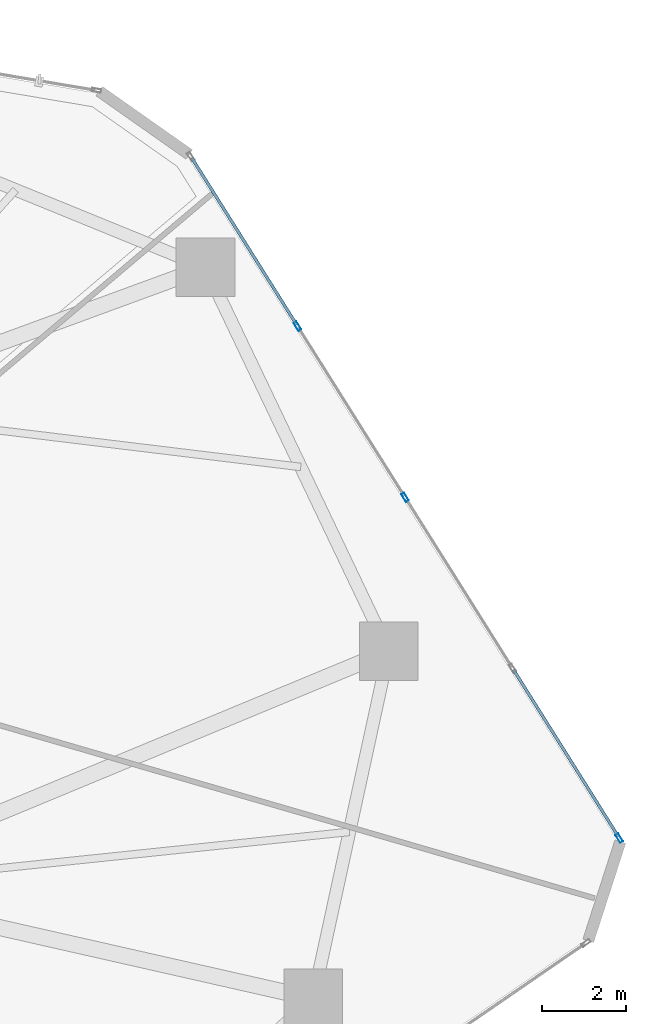
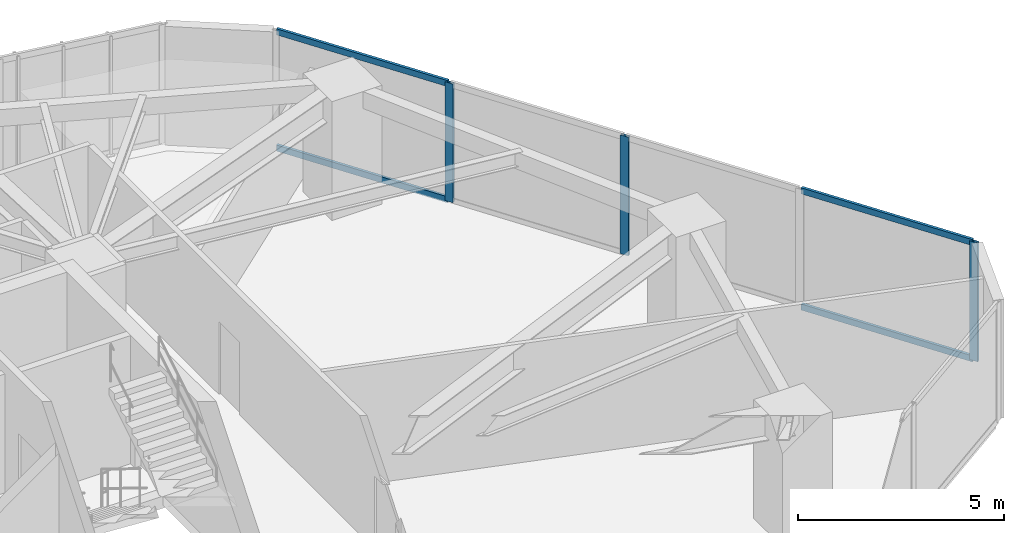
# One storey, part 12 of 21: 7 members, 1 element without a shape of its own.
"""IFC4 building model written with IfcOpenShell, lengths in metres."""

from ifc_helpers import new_model, si_unit, direction, frame, origin, origin_2d, place, context, subcontext, project, spatial, hollow_rectangle, extrude, source, transform, mapped, material, layer, layer_set, material_profile, profile_set, type_object, type_shapes, element, aggregate, save


model = new_model("IFC4")

# Units and contexts
model_context = context("Model", 3, precision=1e-05, world=origin(), true_north=direction((0.0, 1.0)))
body_context = subcontext(model_context, "Body", "Model", "MODEL_VIEW")
ifc_project = project(units=[si_unit("LENGTHUNIT", "METRE"), si_unit("AREAUNIT", "SQUARE_METRE"), si_unit("VOLUMEUNIT", "CUBIC_METRE"), si_unit("PLANEANGLEUNIT", "RADIAN"), si_unit("MASSUNIT", "GRAM", prefix="KILO")], contexts=[model_context])

# Site, building, storey
site_placement = place(None, origin())
site = spatial("IfcSite", under=ifc_project, at=site_placement, CompositionType="ELEMENT")
building_placement = place(site_placement, origin())
building = spatial("IfcBuilding", under=site, at=building_placement, Name="Talar Marvaseh", CompositionType="ELEMENT")
storey_placement = place(building_placement, frame((0.0, 0.0, 62.0)))
storey = spatial("IfcBuildingStorey", under=building, at=storey_placement, Name="L15", CompositionType="ELEMENT", Elevation=62.0)

# Curtain wall, members
ifc_material = material(Name="Architectural Aluminium", Category="aluminium")
ifc_layer = layer(ifc_material, 0.219970703125)
ifc_layer_set = layer_set([ifc_layer], Name="Architectural Aluminium")
curtain_wall_type = type_object("IfcCurtainWallType", Name="Unitised Low-E Museum Curtain Wall Z1", PredefinedType="NOTDEFINED", material=ifc_layer_set)
curtain_wall_placement = place(storey_placement, origin())
curtain_wall = element("IfcCurtainWall", 1, at=curtain_wall_placement, inside=storey, type_object=curtain_wall_type, Name="L15 Unitised Low-E Museum Curtain Wall Z1", PredefinedType="NOTDEFINED")
ifc_material_profile_1 = material_profile(ifc_material, hollow_rectangle(XDim=0.080078125, YDim=0.219970703125, WallThickness=0.0048828125, at=origin_2d()), Name="RHS220x80x5")
ifc_profile_set_1 = profile_set([ifc_material_profile_1], Name="Architectural Aluminium")
member_type_1 = type_object("IfcMemberType", Name="Unitised Curtain Wall Heavy Mullion RHS220x80x5", PredefinedType="MULLION", material=ifc_profile_set_1)
shared_shape_1 = source(origin(), body_context, "Body", "SweptSolid", [
    extrude(hollow_rectangle(XDim=0.080078125, YDim=0.219970703125, WallThickness=0.0048828125, at=origin_2d()), origin(), (0.0, 0.0, 1.0), 3.52001953125),
])
type_shapes(member_type_1, [shared_shape_1])
member_1_placement = place(storey_placement, frame((44.6689453125, 38.8662109375, 0.0), z_axis=(0.0, 0.0, 1.0), x_axis=(0.846622049872, 0.532194611651, 0.0)))
member_1 = element("IfcMember", 2, at=member_1_placement, type_object=member_type_1, Name="CW-Z1 mullion 2", PredefinedType="MULLION", context=body_context, shape_type="MappedRepresentation", body=[
    mapped(shared_shape_1, transform((0.0, 0.0, 0.0), x_axis=(1.0, 0.0, 0.0), y_axis=(0.0, 1.0, 0.0), z_axis=(0.0, 0.0, 1.0), scale=1.0)),
])
member_2_placement = place(storey_placement, frame((47.232177734375, 34.788330078125, 0.0), z_axis=(0.0, 0.0, 1.0), x_axis=(0.846622049872, 0.532194611651, 0.0)))
member_2 = element("IfcMember", 3, at=member_2_placement, type_object=member_type_1, Name="CW-Z1 mullion 3", PredefinedType="MULLION", context=body_context, shape_type="MappedRepresentation", body=[
    mapped(shared_shape_1, transform((0.0, 0.0, 0.0), x_axis=(1.0, 0.0, 0.0), y_axis=(0.0, 1.0, 0.0), z_axis=(0.0, 0.0, 1.0), scale=1.0)),
])
member_3_placement = place(storey_placement, frame((52.337646484375, 26.66650390625, 0.0), z_axis=(0.0, 0.0, 1.0), x_axis=(0.846622049872, 0.532194611651, 0.0)))
member_3 = element("IfcMember", 4, at=member_3_placement, type_object=member_type_1, Name="CW-Z1 mullion 5", PredefinedType="MULLION", context=body_context, shape_type="MappedRepresentation", body=[
    mapped(shared_shape_1, transform((0.0, 0.0, 0.0), x_axis=(1.0, 0.0, 0.0), y_axis=(0.0, 1.0, 0.0), z_axis=(0.0, 0.0, 1.0), scale=1.0)),
])
ifc_material_profile_2 = material_profile(ifc_material, hollow_rectangle(XDim=0.074951171875, YDim=0.179931640625, WallThickness=0.0048828125, at=origin_2d()), Name="RHS180x75x5")
ifc_profile_set_2 = profile_set([ifc_material_profile_2], Name="Architectural Aluminium")
member_type_2 = type_object("IfcMemberType", Name="Unitised Curtain Wall Transom RHS180x75x5", PredefinedType="USERDEFINED", material=ifc_profile_set_2)
shared_shape_2 = source(origin(), body_context, "Body", "SweptSolid", [
    extrude(hollow_rectangle(XDim=0.074951171875, YDim=0.179931640625, WallThickness=0.0048828125, at=origin_2d()), origin(), (0.0, 0.0, 1.0), 4.69677734375),
])
type_shapes(member_type_2, [shared_shape_2])
member_4_placement = place(storey_placement, frame((42.148193359375, 42.87646484375, 0.03759765625), z_axis=(0.532188578316, -0.846625842453, 0.0), x_axis=(0.846625842453, 0.532188578316, 0.0)))
member_4 = element("IfcMember", 5, at=member_4_placement, type_object=member_type_2, Name="CW-Z1 transom 1.1", ObjectType="TRANSOM", PredefinedType="USERDEFINED", context=body_context, shape_type="MappedRepresentation", body=[
    mapped(shared_shape_2, transform((0.0, 0.0, 0.0), x_axis=(1.0, 0.0, 0.0), y_axis=(0.0, 1.0, 0.0), z_axis=(0.0, 0.0, 1.0), scale=1.0)),
])
member_5_placement = place(storey_placement, frame((42.148193359375, 42.87646484375, 3.482421875), z_axis=(0.532188578316, -0.846625842453, 0.0), x_axis=(0.846625842453, 0.532188578316, 0.0)))
member_5 = element("IfcMember", 6, at=member_5_placement, type_object=member_type_2, Name="CW-Z1 transom 1.2", ObjectType="TRANSOM", PredefinedType="USERDEFINED", context=body_context, shape_type="MappedRepresentation", body=[
    mapped(shared_shape_2, transform((0.0, 0.0, 0.0), x_axis=(1.0, 0.0, 0.0), y_axis=(0.0, 1.0, 0.0), z_axis=(0.0, 0.0, 1.0), scale=1.0)),
])
member_6_placement = place(storey_placement, frame((49.81689453125, 30.6767578125, 0.03759765625), z_axis=(0.532188578316, -0.846625842453, 0.0), x_axis=(0.846625842453, 0.532188578316, 0.0)))
member_6 = element("IfcMember", 7, at=member_6_placement, type_object=member_type_2, Name="CW-Z1 transom 4.1", ObjectType="TRANSOM", PredefinedType="USERDEFINED", context=body_context, shape_type="MappedRepresentation", body=[
    mapped(shared_shape_2, transform((0.0, 0.0, 0.0), x_axis=(1.0, 0.0, 0.0), y_axis=(0.0, 1.0, 0.0), z_axis=(0.0, 0.0, 1.0), scale=1.0)),
])
member_7_placement = place(storey_placement, frame((49.81689453125, 30.6767578125, 3.482421875), z_axis=(0.532188578316, -0.846625842453, 0.0), x_axis=(0.846625842453, 0.532188578316, 0.0)))
member_7 = element("IfcMember", 8, at=member_7_placement, type_object=member_type_2, Name="CW-Z1 transom 4.2", ObjectType="TRANSOM", PredefinedType="USERDEFINED", context=body_context, shape_type="MappedRepresentation", body=[
    mapped(shared_shape_2, transform((0.0, 0.0, 0.0), x_axis=(1.0, 0.0, 0.0), y_axis=(0.0, 1.0, 0.0), z_axis=(0.0, 0.0, 1.0), scale=1.0)),
])
aggregate(curtain_wall, [member_1, member_2, member_3, member_4, member_5, member_6, member_7])

save(model, "model.ifc")
